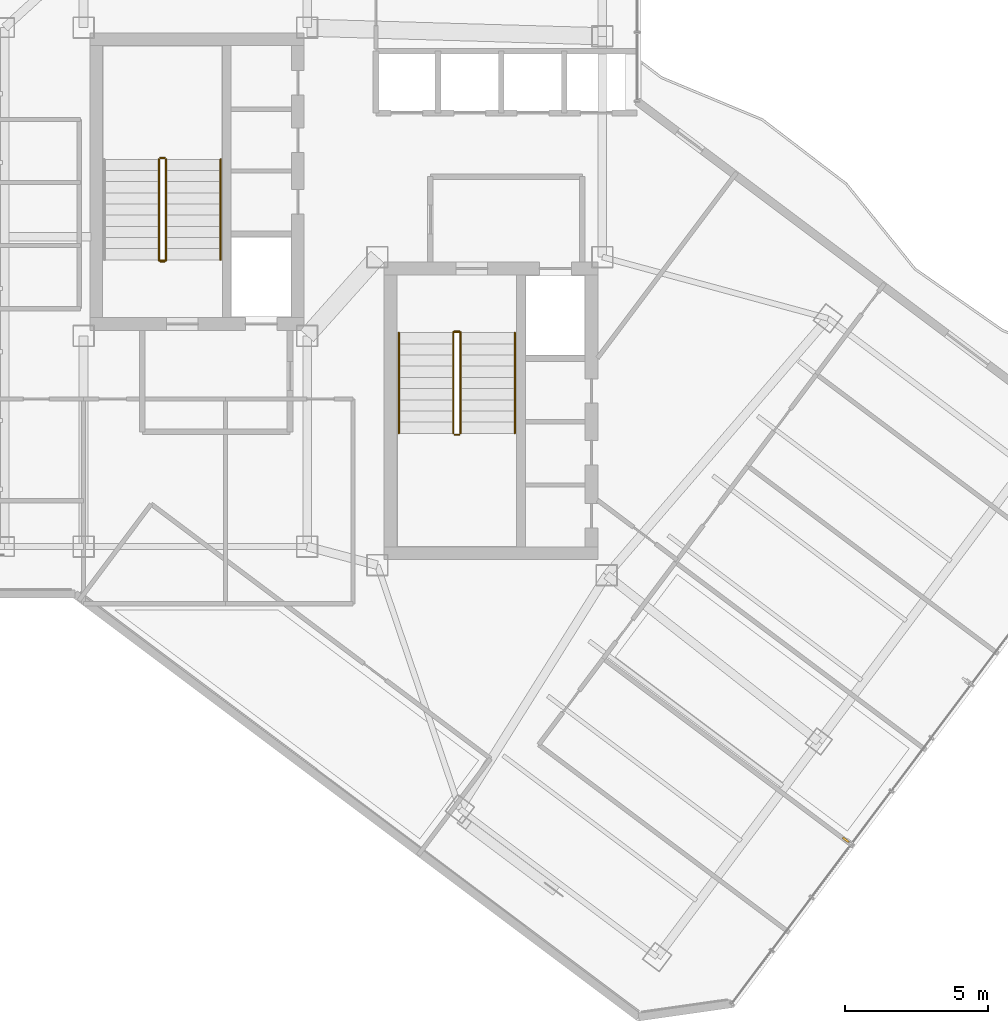
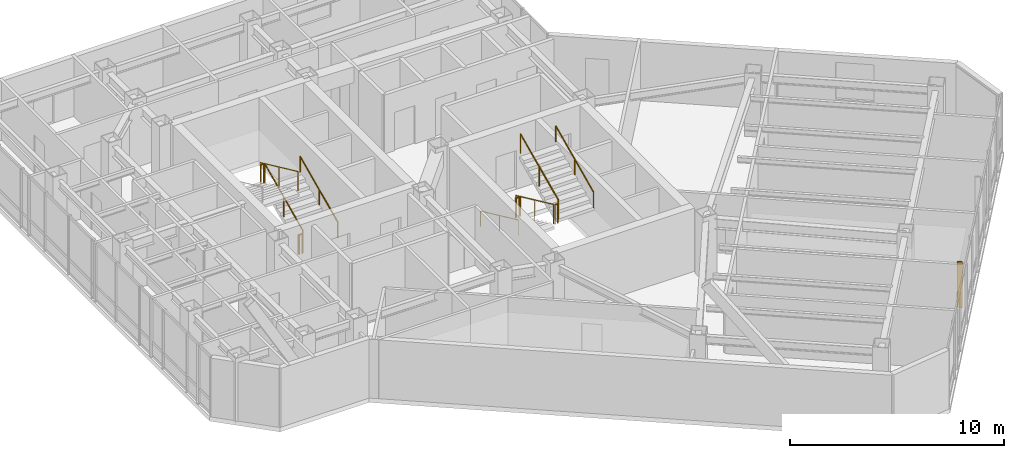
# One storey, part 24 of 26: 13 railings, 1 shading device.
"""IFC4 building model written with IfcOpenShell, lengths in metres."""

import ifcopenshell
import ifcopenshell.guid

model = None  # the IFC model being written
_history = None  # IfcOwnerHistory: only IFC2X3 demands one
_inside = {}  # id of a spatial element -> (the spatial element, [elements in it])
_under = {}  # id of a project, library or spatial element -> (it, [spatial elements below it])
_declared = {}  # id of a project -> (the project, [libraries it declares])
_typed = {}  # id of a type object -> (the type object, [elements of that type])
_made_of = {}  # id of a material, layer set ... -> (it, [elements and type objects made of it])


def new_model(schema):
    """Start an empty IFC model of exactly this schema.

    Asked for "IFC4X3", IfcOpenShell would pick the latest addendum, in which some entities
    have other attributes; the version numbers below select the first issue.
    IFC2X3 requires an IfcOwnerHistory on every rooted entity: one is made here for all.
    """
    global model, _history
    if schema == "IFC4X3":
        model = ifcopenshell.file(schema_version=(4, 3, 0, 0))
    else:
        model = ifcopenshell.file(schema=schema)
    _inside.clear()
    _under.clear()
    _declared.clear()
    _typed.clear()
    _made_of.clear()
    _history = None
    if model.schema == "IFC2X3":
        org = make("IfcOrganization", Name="unknown")
        user = make(
            "IfcPersonAndOrganization",
            ThePerson=make("IfcPerson", FamilyName="unknown"),
            TheOrganization=org,
        )
        app = make(
            "IfcApplication",
            ApplicationDeveloper=org,
            Version="unknown",
            ApplicationFullName="unknown",
            ApplicationIdentifier="unknown",
        )
        _history = make(
            "IfcOwnerHistory",
            OwningUser=user,
            OwningApplication=app,
            ChangeAction="ADDED",
            CreationDate=0,
        )
    return model


def make(cls, **values):
    """One entity of the class cls with the attributes given. An attribute that is None is left unset."""
    return model.create_entity(
        cls, **{name: value for name, value in values.items() if value is not None}
    )


def rooted(cls, **values):
    """An entity with a GlobalId (a new one), such as an element, a storey or a relation."""
    return make(cls, GlobalId=ifcopenshell.guid.new(), OwnerHistory=_history, **values)


def si_unit(unit_type, name, prefix=None):
    """IfcSIUnit, for example si_unit("LENGTHUNIT", "METRE", prefix="MILLI")."""
    return make("IfcSIUnit", UnitType=unit_type, Prefix=prefix, Name=name)


def assignment(units):
    """IfcUnitAssignment: the units of a project."""
    return None if units is None else make("IfcUnitAssignment", Units=units)


def point(xyz):
    """IfcCartesianPoint."""
    return None if xyz is None else make("IfcCartesianPoint", Coordinates=xyz)


def direction(xyz):
    """IfcDirection."""
    return None if xyz is None else make("IfcDirection", DirectionRatios=xyz)


def frame(location, z_axis=None, x_axis=None):
    """IfcAxis2Placement3D, a coordinate frame: its origin and axes. An axis left out is left unset."""
    return make(
        "IfcAxis2Placement3D",
        Location=point(location),
        Axis=direction(z_axis),
        RefDirection=direction(x_axis),
    )


def frame_2d(location, x_axis=None):
    """IfcAxis2Placement2D, a coordinate frame in the plane: its origin and x axis."""
    return make(
        "IfcAxis2Placement2D", Location=point(location), RefDirection=direction(x_axis)
    )


def origin():
    """The frame at (0, 0, 0) with its axes left unset."""
    return frame((0.0, 0.0, 0.0))


def origin_2d():
    """The frame at (0, 0) in the plane with its x axis left unset."""
    return frame_2d((0.0, 0.0))


def place(relative_to, where):
    """IfcLocalPlacement: puts the frame where relative to a parent placement (None: the world)."""
    return make(
        "IfcLocalPlacement", PlacementRelTo=relative_to, RelativePlacement=where
    )


def context(
    kind, dimensions, precision=None, world=None, true_north=None, identifier=None
):
    """IfcGeometricRepresentationContext, for example the 3D "Model" context."""
    return make(
        "IfcGeometricRepresentationContext",
        ContextIdentifier=identifier,
        ContextType=kind,
        CoordinateSpaceDimension=dimensions,
        Precision=precision,
        WorldCoordinateSystem=world,
        TrueNorth=true_north,
    )


def subcontext(parent, identifier, kind, view, scale=None):
    """IfcGeometricRepresentationSubContext, for example "Body" below "Model"."""
    return make(
        "IfcGeometricRepresentationSubContext",
        ContextIdentifier=identifier,
        ContextType=kind,
        ParentContext=parent,
        TargetScale=scale,
        TargetView=view,
    )


def project(units=None, contexts=None):
    """IfcProject with its units and contexts."""
    return rooted(
        "IfcProject",
        Name="project",
        RepresentationContexts=contexts,
        UnitsInContext=assignment(units),
    )


def spatial(cls, under=None, at=None, **own):
    """A site, building, storey or space (cls), placed at a placement, below another one or the project."""
    s = rooted(cls, ObjectPlacement=at, **own)
    if under is not None:
        _under.setdefault(under.id(), (under, []))[1].append(s)
    return s


def profile(cls, at=None, kind="AREA", **sizes):
    """A parametric profile (cls). Its sizes go by their IFC names, for example OverallWidth=200.0."""
    return make(cls, ProfileType=kind, Position=at, **sizes)


def rectangle(**sizes):
    """IfcRectangleProfileDef."""
    return profile("IfcRectangleProfileDef", **sizes)


def circle(**sizes):
    """IfcCircleProfileDef."""
    return profile("IfcCircleProfileDef", **sizes)


def extrude(swept, where, along, depth):
    """IfcExtrudedAreaSolid: the profile swept, set in the frame where, extruded along a direction by depth."""
    return make(
        "IfcExtrudedAreaSolid",
        SweptArea=swept,
        Position=where,
        ExtrudedDirection=direction(along),
        Depth=depth,
    )


def shape(context_of_items, identifier, shape_type, items):
    """IfcShapeRepresentation: the items that make up one representation, for example the "Body"."""
    return make(
        "IfcShapeRepresentation",
        ContextOfItems=context_of_items,
        RepresentationIdentifier=identifier,
        RepresentationType=shape_type,
        Items=items,
    )


def material(Name=None, Category=None):
    """IfcMaterial."""
    return make("IfcMaterial", Name=Name, Category=Category)


def layer(
    of_material, thickness, ventilated=None, Name=None, Category=None, Priority=None
):
    """IfcMaterialLayer: one layer of a wall or slab, of a material (None: an air gap)."""
    return make(
        "IfcMaterialLayer",
        Material=of_material,
        LayerThickness=thickness,
        IsVentilated=ventilated,
        Name=Name,
        Category=Category,
        Priority=Priority,
    )


def layer_set(layers, Name=None):
    """IfcMaterialLayerSet."""
    return make("IfcMaterialLayerSet", MaterialLayers=layers, LayerSetName=Name)


def made_of(thing, what):
    """Note that an element or type object is made of a material, layer set ...; save() writes the relation."""
    if what is not None:
        _made_of.setdefault(what.id(), (what, []))[1].append(thing)
    return thing


def type_object(cls, material=None, **own):
    """A type object (cls), such as IfcWallType, which elements share."""
    return made_of(rooted(cls, **own), material)


def element(
    cls,
    number,
    at=None,
    inside=None,
    cuts=None,
    type_object=None,
    material=None,
    context=None,
    identifier="Body",
    shape_type=None,
    held_by="IfcProductDefinitionShape",
    body=None,
    shapes=None,
    **own,
):
    """One element of the class cls, such as IfcWall. Its Tag is "e" and its number.

    at: its placement. inside: the storey or other place that contains it. cuts: it is an
    opening in that element (IfcRelVoidsElement). A single representation is given by context,
    identifier, shape_type and body (its items); several are given by shapes. held_by: the class
    of the entity that holds the representations. save() writes the other relations.
    """
    e = rooted(cls, Tag="e%d" % number, ObjectPlacement=at, **own)
    if body is not None:
        shapes = [shape(context, identifier, shape_type, body)]
    if shapes is not None:
        e.Representation = make(held_by, Representations=shapes)
    if inside is not None:
        _inside.setdefault(inside.id(), (inside, []))[1].append(e)
    if cuts is not None:
        rooted(
            "IfcRelVoidsElement", RelatingBuildingElement=cuts, RelatedOpeningElement=e
        )
    if type_object is not None:
        _typed.setdefault(type_object.id(), (type_object, []))[1].append(e)
    return made_of(e, material)


def aggregate(whole, parts):
    """IfcRelAggregates: a whole, such as a stair, and the parts it consists of."""
    return rooted("IfcRelAggregates", RelatingObject=whole, RelatedObjects=parts)


def save(model, path):
    """Write the relations noted so far, then the file.

    IfcRelAggregates (storeys below a building ...), IfcRelContainedInSpatialStructure (elements
    in a storey), IfcRelDefinesByType, IfcRelAssociatesMaterial and IfcRelDeclares: one each for
    every whole, place, type object, material and project.
    """
    for whole, parts in _under.values():
        aggregate(whole, parts)
    for where, things in _inside.values():
        rooted(
            "IfcRelContainedInSpatialStructure",
            RelatedElements=things,
            RelatingStructure=where,
        )
    for kind, things in _typed.values():
        rooted("IfcRelDefinesByType", RelatedObjects=things, RelatingType=kind)
    for what, things in _made_of.values():
        rooted("IfcRelAssociatesMaterial", RelatedObjects=things, RelatingMaterial=what)
    for by, libraries in _declared.values():
        rooted("IfcRelDeclares", RelatingContext=by, RelatedDefinitions=libraries)
    model.write(path)


model = new_model("IFC4")

# Units and contexts
model_context = context("Model", 3, precision=1e-05, world=origin(), true_north=direction((0.0, 1.0)))
body_context = subcontext(model_context, "Body", "Model", "MODEL_VIEW")
ifc_project = project(units=[si_unit("LENGTHUNIT", "METRE"), si_unit("AREAUNIT", "SQUARE_METRE"), si_unit("VOLUMEUNIT", "CUBIC_METRE"), si_unit("PLANEANGLEUNIT", "RADIAN"), si_unit("MASSUNIT", "GRAM", prefix="KILO")], contexts=[model_context])

# Site, building, storey
site_placement = place(None, origin())
site = spatial("IfcSite", under=ifc_project, at=site_placement, CompositionType="ELEMENT")
building_placement = place(site_placement, origin())
building = spatial("IfcBuilding", under=site, at=building_placement, Name="Hatsunagi Terrace Concourse", CompositionType="ELEMENT")
storey_placement = place(building_placement, frame((0.0, 0.0, 195.14990234375)))
storey = spatial("IfcBuildingStorey", under=building, at=storey_placement, Name="L51", CompositionType="ELEMENT", Elevation=195.14990234375)

# Railings
ifc_material_1 = material(Name="Stainless steel", Category="steel")
ifc_layer_1 = layer(ifc_material_1, 0.044921875)
ifc_layer_set_1 = layer_set([ifc_layer_1], Name="StairPitchHandrail_Tower2000")
railing_type_1 = type_object("IfcRailingType", Name="StairPitchHandrail_Tower2000", PredefinedType="HANDRAIL", material=ifc_layer_set_1)
railing_1_placement = place(storey_placement, frame((30.330078125, 35.199951171875, 0.18017578125)))
element("IfcRailing", 1, at=railing_1_placement, inside=storey, type_object=railing_type_1, Name="L51 ST-A stair handrail 1", PredefinedType="HANDRAIL", context=body_context, shape_type="SweptSolid", body=[
    extrude(circle(Radius=0.02392578125, at=origin_2d()), frame((0.0, 0.0, 0.8759765625), z_axis=(0.0, 0.907972323039, 0.419030142823), x_axis=(-1.0, 0.0, 0.0)), (0.0, 0.0, 1.0), 3.86572265625),
    extrude(circle(Radius=0.02099609375, at=origin_2d()), origin(), (0.0, 0.0, 1.0), 0.851806640625),
    extrude(circle(Radius=0.02099609375, at=origin_2d()), frame((0.0, 1.7548828125, 0.81005859375)), (0.0, 0.0, 1.0), 0.851806640625),
    extrude(circle(Radius=0.02099609375, at=origin_2d()), frame((0.0, 3.510009765625, 1.619873046875)), (0.0, 0.0, 1.0), 0.851806640625),
])
railing_2_placement = place(storey_placement, frame((36.550048828125, 32.659912109375, 0.18017578125)))
element("IfcRailing", 2, at=railing_2_placement, inside=storey, type_object=railing_type_1, Name="L51 ST-B stair handrail 1", PredefinedType="HANDRAIL", context=body_context, shape_type="SweptSolid", body=[
    extrude(circle(Radius=0.02392578125, at=origin_2d()), frame((0.0, 0.0, 0.8759765625), z_axis=(0.0, -0.907972323039, 0.419030142823), x_axis=(1.0, 0.0, 0.0)), (0.0, 0.0, 1.0), 3.86572265625),
    extrude(circle(Radius=0.02099609375, at=origin_2d()), origin(), (0.0, 0.0, 1.0), 0.851806640625),
    extrude(circle(Radius=0.02099609375, at=origin_2d()), frame((0.0, -1.7548828125, 0.81005859375)), (0.0, 0.0, 1.0), 0.851806640625),
    extrude(circle(Radius=0.02099609375, at=origin_2d()), frame((0.0, -3.510009765625, 1.619873046875)), (0.0, 0.0, 1.0), 0.851806640625),
])
railing_3_placement = place(storey_placement, frame((40.60009765625, 29.14990234375, 1.97998046875)))
element("IfcRailing", 3, at=railing_3_placement, inside=storey, type_object=railing_type_1, Name="L51 ST-B stair handrail 2", PredefinedType="HANDRAIL", context=body_context, shape_type="SweptSolid", body=[
    extrude(circle(Radius=0.02392578125, at=origin_2d()), frame((0.0, 0.0, 0.8759765625), z_axis=(0.0, 0.907948293929, 0.419082206198), x_axis=(-1.0, 0.0, 0.0)), (0.0, 0.0, 1.0), 3.865966796875),
    extrude(circle(Radius=0.02099609375, at=origin_2d()), origin(), (0.0, 0.0, 1.0), 0.851806640625),
    extrude(circle(Radius=0.02099609375, at=origin_2d()), frame((0.0, 1.7548828125, 0.81005859375)), (0.0, 0.0, 1.0), 0.851806640625),
    extrude(circle(Radius=0.02099609375, at=origin_2d()), frame((0.0, 3.510009765625, 1.6201171875)), (0.0, 0.0, 1.0), 0.851806640625),
])
ifc_material_2 = material(Name="Stainless steel", Category="steel")
ifc_layer_2 = layer(ifc_material_2, 0.06005859375)
ifc_layer_set_2 = layer_set([ifc_layer_2], Name="StairWellGuard_Tower2000")
railing_type_2 = type_object("IfcRailingType", Name="StairWellGuard_Tower2000", PredefinedType="BALUSTRADE", material=ifc_layer_set_2)
railing_4_placement = place(storey_placement, frame((28.429931640625, 35.199951171875, 0.18017578125)))
element("IfcRailing", 4, at=railing_4_placement, inside=storey, type_object=railing_type_2, Name="L51 ST-A stair guard 1", PredefinedType="BALUSTRADE", context=body_context, shape_type="SweptSolid", body=[
    extrude(circle(Radius=0.02392578125, at=origin_2d()), frame((0.0, 0.0, 1.09619140625), z_axis=(0.0, 0.907972323039, 0.419030142823), x_axis=(-1.0, 0.0, 0.0)), (0.0, 0.0, 1.0), 3.86572265625),
    extrude(circle(Radius=0.02099609375, at=origin_2d()), origin(), (0.0, 0.0, 1.0), 1.072021484375),
    extrude(circle(Radius=0.02099609375, at=origin_2d()), frame((0.0, 1.7548828125, 0.81005859375)), (0.0, 0.0, 1.0), 1.072021484375),
    extrude(circle(Radius=0.02099609375, at=origin_2d()), frame((0.0, 3.510009765625, 1.619873046875)), (0.0, 0.0, 1.0), 1.072021484375),
])
railing_5_placement = place(storey_placement, frame((28.3798828125, 38.760009765625, 1.800048828125)))
element("IfcRailing", 5, at=railing_5_placement, inside=storey, type_object=railing_type_2, Name="L51 ST-A stair guard 2", PredefinedType="BALUSTRADE", context=body_context, shape_type="SweptSolid", body=[
    extrude(circle(Radius=0.02392578125, at=origin_2d()), frame((0.0, 0.0, 1.09619140625), z_axis=(-1.0, 0.0, 0.0), x_axis=(0.0, -1.0, 0.0)), (0.0, 0.0, 1.0), 0.14990234375),
    extrude(circle(Radius=0.02099609375, at=origin_2d()), origin(), (0.0, 0.0, 1.0), 1.072021484375),
    extrude(circle(Radius=0.02099609375, at=origin_2d()), frame((-0.14990234375, 0.0, 0.0)), (0.0, 0.0, 1.0), 1.072021484375),
])
railing_6_placement = place(storey_placement, frame((28.179931640625, 38.7099609375, 1.97998046875)))
element("IfcRailing", 6, at=railing_6_placement, inside=storey, type_object=railing_type_2, Name="L51 ST-A stair guard 3", PredefinedType="BALUSTRADE", context=body_context, shape_type="SweptSolid", body=[
    extrude(circle(Radius=0.02392578125, at=origin_2d()), frame((0.0, 0.0, 1.09619140625), z_axis=(0.0, -0.907948293929, 0.419082206198), x_axis=(1.0, 0.0, 0.0)), (0.0, 0.0, 1.0), 3.865966796875),
    extrude(circle(Radius=0.02099609375, at=origin_2d()), origin(), (0.0, 0.0, 1.0), 1.072021484375),
    extrude(circle(Radius=0.02099609375, at=origin_2d()), frame((0.0, -1.7548828125, 0.81005859375)), (0.0, 0.0, 1.0), 1.072021484375),
    extrude(circle(Radius=0.02099609375, at=origin_2d()), frame((0.0, -3.510009765625, 1.6201171875)), (0.0, 0.0, 1.0), 1.072021484375),
])
railing_7_placement = place(storey_placement, frame((28.3798828125, 35.14990234375, 0.0)))
element("IfcRailing", 7, at=railing_7_placement, inside=storey, type_object=railing_type_2, Name="L51 ST-A stair guard 4", PredefinedType="BALUSTRADE", context=body_context, shape_type="SweptSolid", body=[
    extrude(circle(Radius=0.02392578125, at=origin_2d()), frame((0.0, 0.0, 1.09619140625), z_axis=(-1.0, 0.0, 0.0), x_axis=(0.0, -1.0, 0.0)), (0.0, 0.0, 1.0), 0.14990234375),
    extrude(circle(Radius=0.02099609375, at=origin_2d()), origin(), (0.0, 0.0, 1.0), 1.072021484375),
    extrude(circle(Radius=0.02099609375, at=origin_2d()), frame((-0.14990234375, 0.0, 0.0)), (0.0, 0.0, 1.0), 1.072021484375),
])
railing_8_placement = place(storey_placement, frame((38.449951171875, 32.659912109375, 0.18017578125)))
element("IfcRailing", 8, at=railing_8_placement, inside=storey, type_object=railing_type_2, Name="L51 ST-B stair guard 1", PredefinedType="BALUSTRADE", context=body_context, shape_type="SweptSolid", body=[
    extrude(circle(Radius=0.02392578125, at=origin_2d()), frame((0.0, 0.0, 1.09619140625), z_axis=(0.0, -0.907972323039, 0.419030142823), x_axis=(1.0, 0.0, 0.0)), (0.0, 0.0, 1.0), 3.86572265625),
    extrude(circle(Radius=0.02099609375, at=origin_2d()), origin(), (0.0, 0.0, 1.0), 1.072021484375),
    extrude(circle(Radius=0.02099609375, at=origin_2d()), frame((0.0, -1.7548828125, 0.81005859375)), (0.0, 0.0, 1.0), 1.072021484375),
    extrude(circle(Radius=0.02099609375, at=origin_2d()), frame((0.0, -3.510009765625, 1.619873046875)), (0.0, 0.0, 1.0), 1.072021484375),
])
railing_9_placement = place(storey_placement, frame((38.5, 29.10009765625, 1.800048828125)))
element("IfcRailing", 9, at=railing_9_placement, inside=storey, type_object=railing_type_2, Name="L51 ST-B stair guard 2", PredefinedType="BALUSTRADE", context=body_context, shape_type="SweptSolid", body=[
    extrude(circle(Radius=0.02392578125, at=origin_2d()), frame((0.0, 0.0, 1.09619140625), z_axis=(1.0, 0.0, 0.0), x_axis=(0.0, 1.0, 0.0)), (0.0, 0.0, 1.0), 0.14990234375),
    extrude(circle(Radius=0.02099609375, at=origin_2d()), origin(), (0.0, 0.0, 1.0), 1.072021484375),
    extrude(circle(Radius=0.02099609375, at=origin_2d()), frame((0.14990234375, 0.0, 0.0)), (0.0, 0.0, 1.0), 1.072021484375),
])
railing_10_placement = place(storey_placement, frame((38.699951171875, 29.14990234375, 1.97998046875)))
element("IfcRailing", 10, at=railing_10_placement, inside=storey, type_object=railing_type_2, Name="L51 ST-B stair guard 3", PredefinedType="BALUSTRADE", context=body_context, shape_type="SweptSolid", body=[
    extrude(circle(Radius=0.02392578125, at=origin_2d()), frame((0.0, 0.0, 1.09619140625), z_axis=(0.0, 0.907948293929, 0.419082206198), x_axis=(-1.0, 0.0, 0.0)), (0.0, 0.0, 1.0), 3.865966796875),
    extrude(circle(Radius=0.02099609375, at=origin_2d()), origin(), (0.0, 0.0, 1.0), 1.072021484375),
    extrude(circle(Radius=0.02099609375, at=origin_2d()), frame((0.0, 1.7548828125, 0.81005859375)), (0.0, 0.0, 1.0), 1.072021484375),
    extrude(circle(Radius=0.02099609375, at=origin_2d()), frame((0.0, 3.510009765625, 1.6201171875)), (0.0, 0.0, 1.0), 1.072021484375),
])
railing_11_placement = place(storey_placement, frame((38.5, 32.7099609375, 0.0)))
element("IfcRailing", 11, at=railing_11_placement, inside=storey, type_object=railing_type_2, Name="L51 ST-B stair guard 4", PredefinedType="BALUSTRADE", context=body_context, shape_type="SweptSolid", body=[
    extrude(circle(Radius=0.02392578125, at=origin_2d()), frame((0.0, 0.0, 1.09619140625), z_axis=(1.0, 0.0, 0.0), x_axis=(0.0, 1.0, 0.0)), (0.0, 0.0, 1.0), 0.14990234375),
    extrude(circle(Radius=0.02099609375, at=origin_2d()), origin(), (0.0, 0.0, 1.0), 1.072021484375),
    extrude(circle(Radius=0.02099609375, at=origin_2d()), frame((0.14990234375, 0.0, 0.0)), (0.0, 0.0, 1.0), 1.072021484375),
])
ifc_material_3 = material(Name="Stainless Steel SUS316 Post-and-Rail Guard", Category="steel")
ifc_layer_3 = layer(ifc_material_3, 0.080078125)
ifc_layer_set_3 = layer_set([ifc_layer_3], Name="TerracePlantedGuardRail_1200")
railing_type_3 = type_object("IfcRailingType", Name="TerracePlantedGuardRail_1200", PredefinedType="GUARDRAIL", material=ifc_layer_set_3)
for number, where, name in (
    (12, (28.179931640625, 35.179931640625, 0.0), "Stair ST-A Well Closure Guard L51"),
    (13, (38.449951171875, 32.679931640625, 0.0), "Stair ST-B Well Closure Guard L51"),
):
    element("IfcRailing", number, at=place(storey_placement, frame(where)), inside=storey, type_object=railing_type_3, Name=name, PredefinedType="GUARDRAIL", context=body_context, shape_type="SweptSolid", body=[
        extrude(circle(Radius=0.02392578125, at=origin_2d()), frame((0.0, 0.0, 1.09619140625), z_axis=(1.0, 0.0, 0.0), x_axis=(0.0, 1.0, 0.0)), (0.0, 0.0, 1.0), 0.25),
        extrude(circle(Radius=0.02099609375, at=origin_2d()), origin(), (0.0, 0.0, 1.0), 1.072021484375),
        extrude(circle(Radius=0.02099609375, at=origin_2d()), frame((0.25, 0.0, 0.0)), (0.0, 0.0, 1.0), 1.072021484375),
    ])

# Shading device
ifc_material_4 = material(Name="Extruded Unglazed Terracotta Baguette", Category="masonry")
shading_device_type = type_object("IfcShadingDeviceType", Name="TerracottaFinScreen_260x70", PredefinedType="USERDEFINED", material=ifc_material_4)
shading_device_placement = place(storey_placement, frame((52.139892578125, 14.968994140625, 0.85009765625), z_axis=(0.0, 0.0, 1.0), x_axis=(-0.599969314634, -0.800023013105, 0.0)))
element("IfcShadingDevice", 14, at=shading_device_placement, inside=storey, type_object=shading_device_type, Name="Terracotta Baguette Fin Screen SCR-01", ObjectType="SUNSHADE", PredefinedType="USERDEFINED", context=body_context, shape_type="SweptSolid", body=[
    extrude(rectangle(XDim=0.070068359375, YDim=0.260009765625, at=origin_2d()), origin(), (0.0, 0.0, 1.0), 2.60009765625),
])

save(model, "model.ifc")
